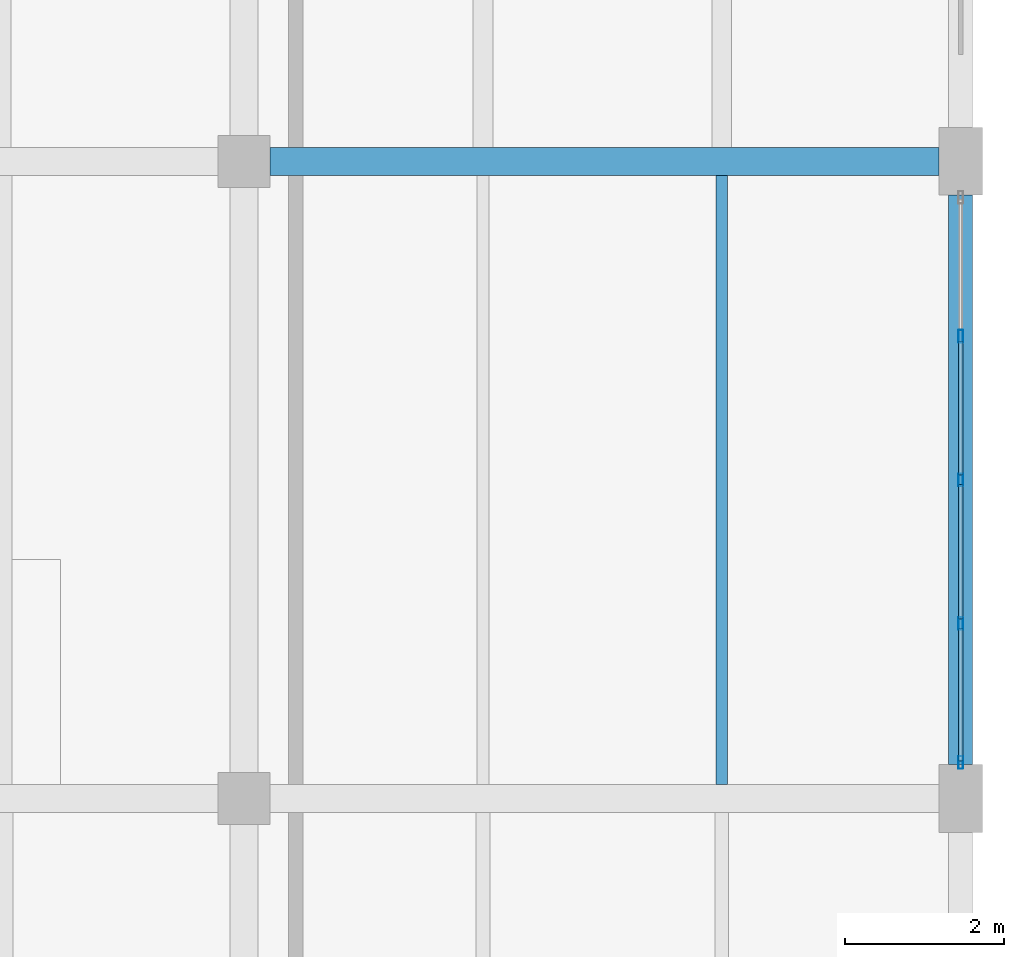
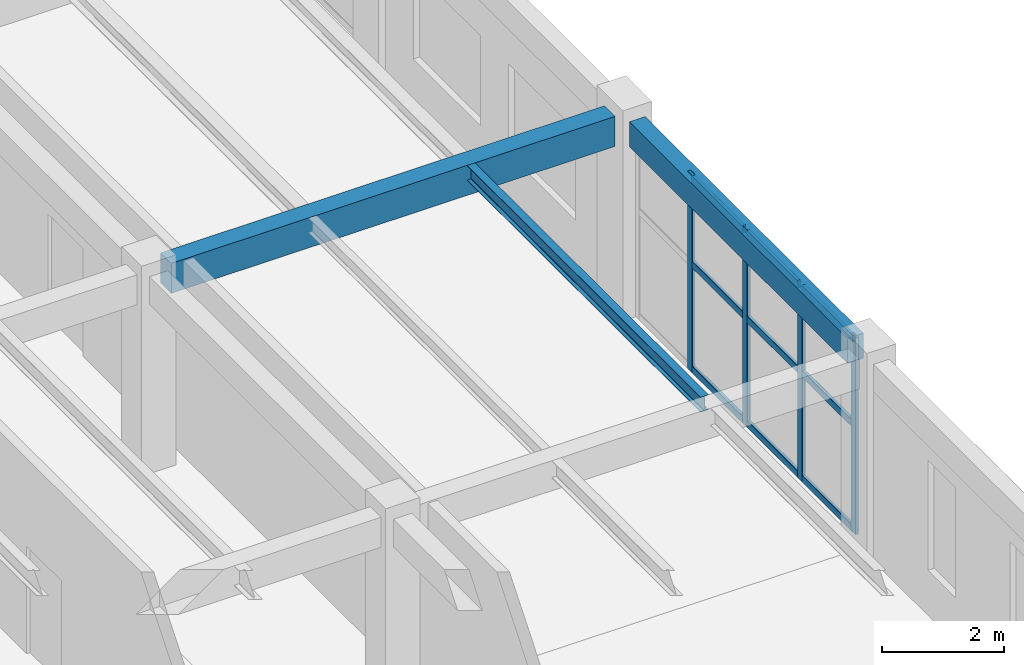
# One storey, part 43 of 71: 13 members, 3 beams, 1 element without a shape of its own.
"""IFC4 building model written with IfcOpenShell, lengths in metres."""

import ifcopenshell
import ifcopenshell.guid

model = None  # the IFC model being written
_history = None  # IfcOwnerHistory: only IFC2X3 demands one
_inside = {}  # id of a spatial element -> (the spatial element, [elements in it])
_under = {}  # id of a project, library or spatial element -> (it, [spatial elements below it])
_declared = {}  # id of a project -> (the project, [libraries it declares])
_typed = {}  # id of a type object -> (the type object, [elements of that type])
_made_of = {}  # id of a material, layer set ... -> (it, [elements and type objects made of it])


def new_model(schema):
    """Start an empty IFC model of exactly this schema.

    Asked for "IFC4X3", IfcOpenShell would pick the latest addendum, in which some entities
    have other attributes; the version numbers below select the first issue.
    IFC2X3 requires an IfcOwnerHistory on every rooted entity: one is made here for all.
    """
    global model, _history
    if schema == "IFC4X3":
        model = ifcopenshell.file(schema_version=(4, 3, 0, 0))
    else:
        model = ifcopenshell.file(schema=schema)
    _inside.clear()
    _under.clear()
    _declared.clear()
    _typed.clear()
    _made_of.clear()
    _history = None
    if model.schema == "IFC2X3":
        org = make("IfcOrganization", Name="unknown")
        user = make(
            "IfcPersonAndOrganization",
            ThePerson=make("IfcPerson", FamilyName="unknown"),
            TheOrganization=org,
        )
        app = make(
            "IfcApplication",
            ApplicationDeveloper=org,
            Version="unknown",
            ApplicationFullName="unknown",
            ApplicationIdentifier="unknown",
        )
        _history = make(
            "IfcOwnerHistory",
            OwningUser=user,
            OwningApplication=app,
            ChangeAction="ADDED",
            CreationDate=0,
        )
    return model


def make(cls, **values):
    """One entity of the class cls with the attributes given. An attribute that is None is left unset."""
    return model.create_entity(
        cls, **{name: value for name, value in values.items() if value is not None}
    )


def rooted(cls, **values):
    """An entity with a GlobalId (a new one), such as an element, a storey or a relation."""
    return make(cls, GlobalId=ifcopenshell.guid.new(), OwnerHistory=_history, **values)


def si_unit(unit_type, name, prefix=None):
    """IfcSIUnit, for example si_unit("LENGTHUNIT", "METRE", prefix="MILLI")."""
    return make("IfcSIUnit", UnitType=unit_type, Prefix=prefix, Name=name)


def derived_unit(unit_type, elements):
    """IfcDerivedUnit: a product of units, each with its exponent."""
    return make(
        "IfcDerivedUnit",
        Elements=[
            make("IfcDerivedUnitElement", Unit=unit, Exponent=power)
            for unit, power in elements
        ],
        UnitType=unit_type,
    )


def assignment(units):
    """IfcUnitAssignment: the units of a project."""
    return None if units is None else make("IfcUnitAssignment", Units=units)


def point(xyz):
    """IfcCartesianPoint."""
    return None if xyz is None else make("IfcCartesianPoint", Coordinates=xyz)


def direction(xyz):
    """IfcDirection."""
    return None if xyz is None else make("IfcDirection", DirectionRatios=xyz)


def frame(location, z_axis=None, x_axis=None):
    """IfcAxis2Placement3D, a coordinate frame: its origin and axes. An axis left out is left unset."""
    return make(
        "IfcAxis2Placement3D",
        Location=point(location),
        Axis=direction(z_axis),
        RefDirection=direction(x_axis),
    )


def frame_2d(location, x_axis=None):
    """IfcAxis2Placement2D, a coordinate frame in the plane: its origin and x axis."""
    return make(
        "IfcAxis2Placement2D", Location=point(location), RefDirection=direction(x_axis)
    )


def origin():
    """The frame at (0, 0, 0) with its axes left unset."""
    return frame((0.0, 0.0, 0.0))


def origin_2d():
    """The frame at (0, 0) in the plane with its x axis left unset."""
    return frame_2d((0.0, 0.0))


def place(relative_to, where):
    """IfcLocalPlacement: puts the frame where relative to a parent placement (None: the world)."""
    return make(
        "IfcLocalPlacement", PlacementRelTo=relative_to, RelativePlacement=where
    )


def context(
    kind, dimensions, precision=None, world=None, true_north=None, identifier=None
):
    """IfcGeometricRepresentationContext, for example the 3D "Model" context."""
    return make(
        "IfcGeometricRepresentationContext",
        ContextIdentifier=identifier,
        ContextType=kind,
        CoordinateSpaceDimension=dimensions,
        Precision=precision,
        WorldCoordinateSystem=world,
        TrueNorth=true_north,
    )


def subcontext(parent, identifier, kind, view, scale=None):
    """IfcGeometricRepresentationSubContext, for example "Body" below "Model"."""
    return make(
        "IfcGeometricRepresentationSubContext",
        ContextIdentifier=identifier,
        ContextType=kind,
        ParentContext=parent,
        TargetScale=scale,
        TargetView=view,
    )


def project(units=None, contexts=None):
    """IfcProject with its units and contexts."""
    return rooted(
        "IfcProject",
        Name="project",
        RepresentationContexts=contexts,
        UnitsInContext=assignment(units),
    )


def spatial(cls, under=None, at=None, **own):
    """A site, building, storey or space (cls), placed at a placement, below another one or the project."""
    s = rooted(cls, ObjectPlacement=at, **own)
    if under is not None:
        _under.setdefault(under.id(), (under, []))[1].append(s)
    return s


def profile(cls, at=None, kind="AREA", **sizes):
    """A parametric profile (cls). Its sizes go by their IFC names, for example OverallWidth=200.0."""
    return make(cls, ProfileType=kind, Position=at, **sizes)


def rectangle(**sizes):
    """IfcRectangleProfileDef."""
    return profile("IfcRectangleProfileDef", **sizes)


def hollow_rectangle(**sizes):
    """IfcRectangleHollowProfileDef."""
    return profile("IfcRectangleHollowProfileDef", **sizes)


def i_section(**sizes):
    """IfcIShapeProfileDef."""
    return profile("IfcIShapeProfileDef", **sizes)


def extrude(swept, where, along, depth):
    """IfcExtrudedAreaSolid: the profile swept, set in the frame where, extruded along a direction by depth."""
    return make(
        "IfcExtrudedAreaSolid",
        SweptArea=swept,
        Position=where,
        ExtrudedDirection=direction(along),
        Depth=depth,
    )


def shape(context_of_items, identifier, shape_type, items):
    """IfcShapeRepresentation: the items that make up one representation, for example the "Body"."""
    return make(
        "IfcShapeRepresentation",
        ContextOfItems=context_of_items,
        RepresentationIdentifier=identifier,
        RepresentationType=shape_type,
        Items=items,
    )


def material(Name=None, Category=None):
    """IfcMaterial."""
    return make("IfcMaterial", Name=Name, Category=Category)


def material_profile(
    of_material, cross_section, Name=None, Category=None, Priority=None
):
    """IfcMaterialProfile: a cross section and its material."""
    return make(
        "IfcMaterialProfile",
        Name=Name,
        Material=of_material,
        Profile=cross_section,
        Priority=Priority,
        Category=Category,
    )


def profile_set(profiles, Name=None, composite=None):
    """IfcMaterialProfileSet."""
    return make(
        "IfcMaterialProfileSet",
        Name=Name,
        MaterialProfiles=profiles,
        CompositeProfile=composite,
    )


def made_of(thing, what):
    """Note that an element or type object is made of a material, layer set ...; save() writes the relation."""
    if what is not None:
        _made_of.setdefault(what.id(), (what, []))[1].append(thing)
    return thing


def type_object(cls, material=None, **own):
    """A type object (cls), such as IfcWallType, which elements share."""
    return made_of(rooted(cls, **own), material)


def element(
    cls,
    number,
    at=None,
    inside=None,
    cuts=None,
    type_object=None,
    material=None,
    context=None,
    identifier="Body",
    shape_type=None,
    held_by="IfcProductDefinitionShape",
    body=None,
    shapes=None,
    **own,
):
    """One element of the class cls, such as IfcWall. Its Tag is "e" and its number.

    at: its placement. inside: the storey or other place that contains it. cuts: it is an
    opening in that element (IfcRelVoidsElement). A single representation is given by context,
    identifier, shape_type and body (its items); several are given by shapes. held_by: the class
    of the entity that holds the representations. save() writes the other relations.
    """
    e = rooted(cls, Tag="e%d" % number, ObjectPlacement=at, **own)
    if body is not None:
        shapes = [shape(context, identifier, shape_type, body)]
    if shapes is not None:
        e.Representation = make(held_by, Representations=shapes)
    if inside is not None:
        _inside.setdefault(inside.id(), (inside, []))[1].append(e)
    if cuts is not None:
        rooted(
            "IfcRelVoidsElement", RelatingBuildingElement=cuts, RelatedOpeningElement=e
        )
    if type_object is not None:
        _typed.setdefault(type_object.id(), (type_object, []))[1].append(e)
    return made_of(e, material)


def aggregate(whole, parts):
    """IfcRelAggregates: a whole, such as a stair, and the parts it consists of."""
    return rooted("IfcRelAggregates", RelatingObject=whole, RelatedObjects=parts)


def save(model, path):
    """Write the relations noted so far, then the file.

    IfcRelAggregates (storeys below a building ...), IfcRelContainedInSpatialStructure (elements
    in a storey), IfcRelDefinesByType, IfcRelAssociatesMaterial and IfcRelDeclares: one each for
    every whole, place, type object, material and project.
    """
    for whole, parts in _under.values():
        aggregate(whole, parts)
    for where, things in _inside.values():
        rooted(
            "IfcRelContainedInSpatialStructure",
            RelatedElements=things,
            RelatingStructure=where,
        )
    for kind, things in _typed.values():
        rooted("IfcRelDefinesByType", RelatedObjects=things, RelatingType=kind)
    for what, things in _made_of.values():
        rooted("IfcRelAssociatesMaterial", RelatedObjects=things, RelatingMaterial=what)
    for by, libraries in _declared.values():
        rooted("IfcRelDeclares", RelatingContext=by, RelatedDefinitions=libraries)
    model.write(path)


model = new_model("IFC4")

# Units and contexts
model_context = context("Model", 3, precision=1e-05, world=origin(), true_north=direction((0.0, 1.0)))
body_context = subcontext(model_context, "Body", "Model", "MODEL_VIEW")
ifc_project = project(units=[si_unit("LENGTHUNIT", "METRE"), si_unit("AREAUNIT", "SQUARE_METRE"), si_unit("VOLUMEUNIT", "CUBIC_METRE"), si_unit("PLANEANGLEUNIT", "RADIAN"), si_unit("MASSUNIT", "GRAM", prefix="KILO"), derived_unit("THERMALTRANSMITTANCEUNIT", [(si_unit("MASSUNIT", "GRAM", prefix="KILO"), 1), (si_unit("TIMEUNIT", "SECOND"), -3), (si_unit("THERMODYNAMICTEMPERATUREUNIT", "KELVIN"), -1)])], contexts=[model_context])

# Site, building, storey
site_placement = place(None, origin())
site = spatial("IfcSite", under=ifc_project, at=site_placement, CompositionType="ELEMENT")
building_placement = place(site_placement, origin())
building = spatial("IfcBuilding", under=site, at=building_placement, Name="Zhenchuan Archway Interchange", CompositionType="ELEMENT")
storey_placement = place(building_placement, frame((0.0, 0.0, 18.60009765625)))
storey = spatial("IfcBuildingStorey", under=building, at=storey_placement, Name="L04", CompositionType="ELEMENT", Elevation=18.60009765625)

# Beam
ifc_material_1 = material(Name="Concrete C40", Category="concrete")
ifc_material_profile_1 = material_profile(ifc_material_1, rectangle(XDim=0.35009765625, YDim=0.60009765625, at=origin_2d()), Name="RC 350x600")
ifc_profile_set_1 = profile_set([ifc_material_profile_1], Name="Concrete C40")
beam_type_1 = type_object("IfcBeamType", Name="BM_RC_350x600", PredefinedType="BEAM", material=ifc_profile_set_1)
beam_1_placement = place(storey_placement, frame((162.324951171875, 80.0, 3.639892578125), z_axis=(1.0, 0.0, 0.0), x_axis=(0.0, 1.0, 0.0)))
element("IfcBeam", 1, at=beam_1_placement, inside=storey, type_object=beam_type_1, Name="Beam L:19-20 (L04)", PredefinedType="BEAM", context=body_context, shape_type="SweptSolid", body=[
    extrude(rectangle(XDim=0.35009765625, YDim=0.60009765625, at=origin_2d()), origin(), (0.0, 0.0, 1.0), 8.400146484375),
])

# Curtain wall, members
ifc_material_2 = material(Name="Anodised Aluminium", Category="aluminium")
curtain_wall_type = type_object("IfcCurtainWallType", Name="CW_UNIT_1", PredefinedType="NOTDEFINED", material=ifc_material_2)
curtain_wall_placement = place(storey_placement, origin())
curtain_wall = element("IfcCurtainWall", 2, at=curtain_wall_placement, inside=storey, type_object=curtain_wall_type, Name="Unitised curtain wall CW:L04:196", PredefinedType="NOTDEFINED")
ifc_material_profile_2 = material_profile(ifc_material_2, hollow_rectangle(XDim=0.06005859375, YDim=0.159912109375, WallThickness=0.00390625, InnerFilletRadius=0.00390625, OuterFilletRadius=0.008056640625, at=origin_2d()), Name="ALU 160x60x4")
ifc_profile_set_2 = profile_set([ifc_material_profile_2], Name="Anodised Aluminium")
member_type_1 = type_object("IfcMemberType", Name="CW_MUL_150", PredefinedType="MULLION", material=ifc_profile_set_2)
member_1_placement = place(storey_placement, frame((171.0, 77.803466796875, 0.0), z_axis=(0.0, 0.0, 1.0), x_axis=(1.0, 0.0, 0.0)))
member_1 = element("IfcMember", 3, at=member_1_placement, type_object=member_type_1, Name="CW:L04:196 mullion 1", PredefinedType="MULLION", context=body_context, shape_type="SweptSolid", body=[
    extrude(hollow_rectangle(XDim=0.06005859375, YDim=0.159912109375, WallThickness=0.00390625, InnerFilletRadius=0.00390625, OuterFilletRadius=0.008056640625, at=origin_2d()), origin(), (0.0, 0.0, 1.0), 3.93994140625),
])
member_2_placement = place(storey_placement, frame((171.0, 76.0, 0.0), z_axis=(0.0, 0.0, 1.0), x_axis=(1.0, 0.0, 0.0)))
member_2 = element("IfcMember", 4, at=member_2_placement, type_object=member_type_1, Name="CW:L04:196 mullion 2", PredefinedType="MULLION", context=body_context, shape_type="SweptSolid", body=[
    extrude(hollow_rectangle(XDim=0.06005859375, YDim=0.159912109375, WallThickness=0.00390625, InnerFilletRadius=0.00390625, OuterFilletRadius=0.008056640625, at=origin_2d()), origin(), (0.0, 0.0, 1.0), 3.93994140625),
])
member_3_placement = place(storey_placement, frame((171.0, 74.196533203125, 0.0), z_axis=(0.0, 0.0, 1.0), x_axis=(1.0, 0.0, 0.0)))
member_3 = element("IfcMember", 5, at=member_3_placement, type_object=member_type_1, Name="CW:L04:196 mullion 3", PredefinedType="MULLION", context=body_context, shape_type="SweptSolid", body=[
    extrude(hollow_rectangle(XDim=0.06005859375, YDim=0.159912109375, WallThickness=0.00390625, InnerFilletRadius=0.00390625, OuterFilletRadius=0.008056640625, at=origin_2d()), origin(), (0.0, 0.0, 1.0), 3.93994140625),
])
member_4_placement = place(storey_placement, frame((171.0, 72.452880859375, 0.0), z_axis=(0.0, 0.0, 1.0), x_axis=(1.0, 0.0, 0.0)))
member_4 = element("IfcMember", 6, at=member_4_placement, type_object=member_type_1, Name="CW:L04:196 mullion 4", PredefinedType="MULLION", context=body_context, shape_type="SweptSolid", body=[
    extrude(hollow_rectangle(XDim=0.06005859375, YDim=0.159912109375, WallThickness=0.00390625, InnerFilletRadius=0.00390625, OuterFilletRadius=0.008056640625, at=origin_2d()), origin(), (0.0, 0.0, 1.0), 3.93994140625),
])
ifc_material_profile_3 = material_profile(ifc_material_2, hollow_rectangle(XDim=0.06005859375, YDim=0.139892578125, WallThickness=0.00341796875, InnerFilletRadius=0.00341796875, OuterFilletRadius=0.007080078125, at=origin_2d()), Name="ALU 140x60x3.5")
ifc_profile_set_3 = profile_set([ifc_material_profile_3], Name="Anodised Aluminium")
member_type_2 = type_object("IfcMemberType", Name="CW_TRN_140", PredefinedType="USERDEFINED", material=ifc_profile_set_3)
member_5_placement = place(storey_placement, frame((171.0, 77.743408203125, 0.059814453125), z_axis=(0.0, -1.0, 0.0), x_axis=(1.0, 0.0, 0.0)))
member_5 = element("IfcMember", 7, at=member_5_placement, type_object=member_type_2, Name="CW:L04:196 transom 1-1", ObjectType="TRANSOM", PredefinedType="USERDEFINED", context=body_context, shape_type="SweptSolid", body=[
    extrude(hollow_rectangle(XDim=0.06005859375, YDim=0.139892578125, WallThickness=0.00341796875, InnerFilletRadius=0.00341796875, OuterFilletRadius=0.007080078125, at=origin_2d()), origin(), (0.0, 0.0, 1.0), 1.683349609375),
])
member_6_placement = place(storey_placement, frame((171.0, 77.743408203125, 2.156005859375), z_axis=(0.0, -1.0, 0.0), x_axis=(1.0, 0.0, 0.0)))
member_6 = element("IfcMember", 8, at=member_6_placement, type_object=member_type_2, Name="CW:L04:196 transom 1-2", ObjectType="TRANSOM", PredefinedType="USERDEFINED", context=body_context, shape_type="SweptSolid", body=[
    extrude(hollow_rectangle(XDim=0.06005859375, YDim=0.139892578125, WallThickness=0.00341796875, InnerFilletRadius=0.00341796875, OuterFilletRadius=0.007080078125, at=origin_2d()), origin(), (0.0, 0.0, 1.0), 1.683349609375),
])
member_7_placement = place(storey_placement, frame((171.0, 77.743408203125, 3.85986328125), z_axis=(0.0, -1.0, 0.0), x_axis=(1.0, 0.0, 0.0)))
member_7 = element("IfcMember", 9, at=member_7_placement, type_object=member_type_2, Name="CW:L04:196 transom 1-3", ObjectType="TRANSOM", PredefinedType="USERDEFINED", context=body_context, shape_type="SweptSolid", body=[
    extrude(hollow_rectangle(XDim=0.06005859375, YDim=0.139892578125, WallThickness=0.00341796875, InnerFilletRadius=0.00341796875, OuterFilletRadius=0.007080078125, at=origin_2d()), origin(), (0.0, 0.0, 1.0), 1.683349609375),
])
member_8_placement = place(storey_placement, frame((171.0, 75.93994140625, 0.059814453125), z_axis=(0.0, -1.0, 0.0), x_axis=(1.0, 0.0, 0.0)))
member_8 = element("IfcMember", 10, at=member_8_placement, type_object=member_type_2, Name="CW:L04:196 transom 2-1", ObjectType="TRANSOM", PredefinedType="USERDEFINED", context=body_context, shape_type="SweptSolid", body=[
    extrude(hollow_rectangle(XDim=0.06005859375, YDim=0.139892578125, WallThickness=0.00341796875, InnerFilletRadius=0.00341796875, OuterFilletRadius=0.007080078125, at=origin_2d()), origin(), (0.0, 0.0, 1.0), 1.683349609375),
])
member_9_placement = place(storey_placement, frame((171.0, 75.93994140625, 2.156005859375), z_axis=(0.0, -1.0, 0.0), x_axis=(1.0, 0.0, 0.0)))
member_9 = element("IfcMember", 11, at=member_9_placement, type_object=member_type_2, Name="CW:L04:196 transom 2-2", ObjectType="TRANSOM", PredefinedType="USERDEFINED", context=body_context, shape_type="SweptSolid", body=[
    extrude(hollow_rectangle(XDim=0.06005859375, YDim=0.139892578125, WallThickness=0.00341796875, InnerFilletRadius=0.00341796875, OuterFilletRadius=0.007080078125, at=origin_2d()), origin(), (0.0, 0.0, 1.0), 1.683349609375),
])
member_10_placement = place(storey_placement, frame((171.0, 75.93994140625, 3.85986328125), z_axis=(0.0, -1.0, 0.0), x_axis=(1.0, 0.0, 0.0)))
member_10 = element("IfcMember", 12, at=member_10_placement, type_object=member_type_2, Name="CW:L04:196 transom 2-3", ObjectType="TRANSOM", PredefinedType="USERDEFINED", context=body_context, shape_type="SweptSolid", body=[
    extrude(hollow_rectangle(XDim=0.06005859375, YDim=0.139892578125, WallThickness=0.00341796875, InnerFilletRadius=0.00341796875, OuterFilletRadius=0.007080078125, at=origin_2d()), origin(), (0.0, 0.0, 1.0), 1.683349609375),
])
member_11_placement = place(storey_placement, frame((171.0, 74.136474609375, 0.059814453125), z_axis=(0.0, -1.0, 0.0), x_axis=(1.0, 0.0, 0.0)))
member_11 = element("IfcMember", 13, at=member_11_placement, type_object=member_type_2, Name="CW:L04:196 transom 3-1", ObjectType="TRANSOM", PredefinedType="USERDEFINED", context=body_context, shape_type="SweptSolid", body=[
    extrude(hollow_rectangle(XDim=0.06005859375, YDim=0.139892578125, WallThickness=0.00341796875, InnerFilletRadius=0.00341796875, OuterFilletRadius=0.007080078125, at=origin_2d()), origin(), (0.0, 0.0, 1.0), 1.66357421875),
])
member_12_placement = place(storey_placement, frame((171.0, 74.136474609375, 2.156005859375), z_axis=(0.0, -1.0, 0.0), x_axis=(1.0, 0.0, 0.0)))
member_12 = element("IfcMember", 14, at=member_12_placement, type_object=member_type_2, Name="CW:L04:196 transom 3-2", ObjectType="TRANSOM", PredefinedType="USERDEFINED", context=body_context, shape_type="SweptSolid", body=[
    extrude(hollow_rectangle(XDim=0.06005859375, YDim=0.139892578125, WallThickness=0.00341796875, InnerFilletRadius=0.00341796875, OuterFilletRadius=0.007080078125, at=origin_2d()), origin(), (0.0, 0.0, 1.0), 1.66357421875),
])
member_13_placement = place(storey_placement, frame((171.0, 74.136474609375, 3.85986328125), z_axis=(0.0, -1.0, 0.0), x_axis=(1.0, 0.0, 0.0)))
member_13 = element("IfcMember", 15, at=member_13_placement, type_object=member_type_2, Name="CW:L04:196 transom 3-3", ObjectType="TRANSOM", PredefinedType="USERDEFINED", context=body_context, shape_type="SweptSolid", body=[
    extrude(hollow_rectangle(XDim=0.06005859375, YDim=0.139892578125, WallThickness=0.00341796875, InnerFilletRadius=0.00341796875, OuterFilletRadius=0.007080078125, at=origin_2d()), origin(), (0.0, 0.0, 1.0), 1.66357421875),
])
aggregate(curtain_wall, [member_1, member_2, member_3, member_4, member_5, member_6, member_7, member_8, member_9, member_10, member_11, member_12, member_13])

# Beams
ifc_material_3 = material(Name="Steel Q355", Category="steel")
ifc_material_profile_4 = material_profile(ifc_material_3, i_section(OverallWidth=0.14990234375, OverallDepth=0.300048828125, WebThickness=0.006591796875, FlangeThickness=0.009033203125, FilletRadius=0.012939453125, at=origin_2d()), Name="HN 300x150")
ifc_profile_set_4 = profile_set([ifc_material_profile_4], Name="Steel Q355")
beam_type_2 = type_object("IfcBeamType", Name="JST_STL_HN300", PredefinedType="JOIST", material=ifc_profile_set_4)
beam_2_placement = place(storey_placement, frame((168.0, 72.175048828125, 3.789794921875), z_axis=(0.0, 1.0, 0.0), x_axis=(-1.0, 0.0, 0.0)))
element("IfcBeam", 16, at=beam_2_placement, inside=storey, type_object=beam_type_2, Name="Secondary joist 19-20/K-L #2 (L04)", PredefinedType="JOIST", context=body_context, shape_type="SweptSolid", body=[
    extrude(i_section(OverallWidth=0.14990234375, OverallDepth=0.300048828125, WebThickness=0.006591796875, FlangeThickness=0.009033203125, FilletRadius=0.012939453125, at=origin_2d()), origin(), (0.0, 0.0, 1.0), 7.64990234375),
])
ifc_material_profile_5 = material_profile(ifc_material_1, rectangle(XDim=0.300048828125, YDim=0.5, at=origin_2d()), Name="RC 300x500")
ifc_profile_set_5 = profile_set([ifc_material_profile_5], Name="Concrete C40")
beam_type_3 = type_object("IfcBeamType", Name="SP_RC_300x500", PredefinedType="SPANDREL", material=ifc_profile_set_5)
beam_3_placement = place(storey_placement, frame((171.0, 72.425048828125, 3.68994140625), z_axis=(0.0, 1.0, 0.0), x_axis=(-1.0, 0.0, 0.0)))
element("IfcBeam", 17, at=beam_3_placement, inside=storey, type_object=beam_type_3, Name="Beam 20:K-L (L04)", PredefinedType="SPANDREL", context=body_context, shape_type="SweptSolid", body=[
    extrude(rectangle(XDim=0.300048828125, YDim=0.5, at=origin_2d()), origin(), (0.0, 0.0, 1.0), 7.14990234375),
])

save(model, "model.ifc")
